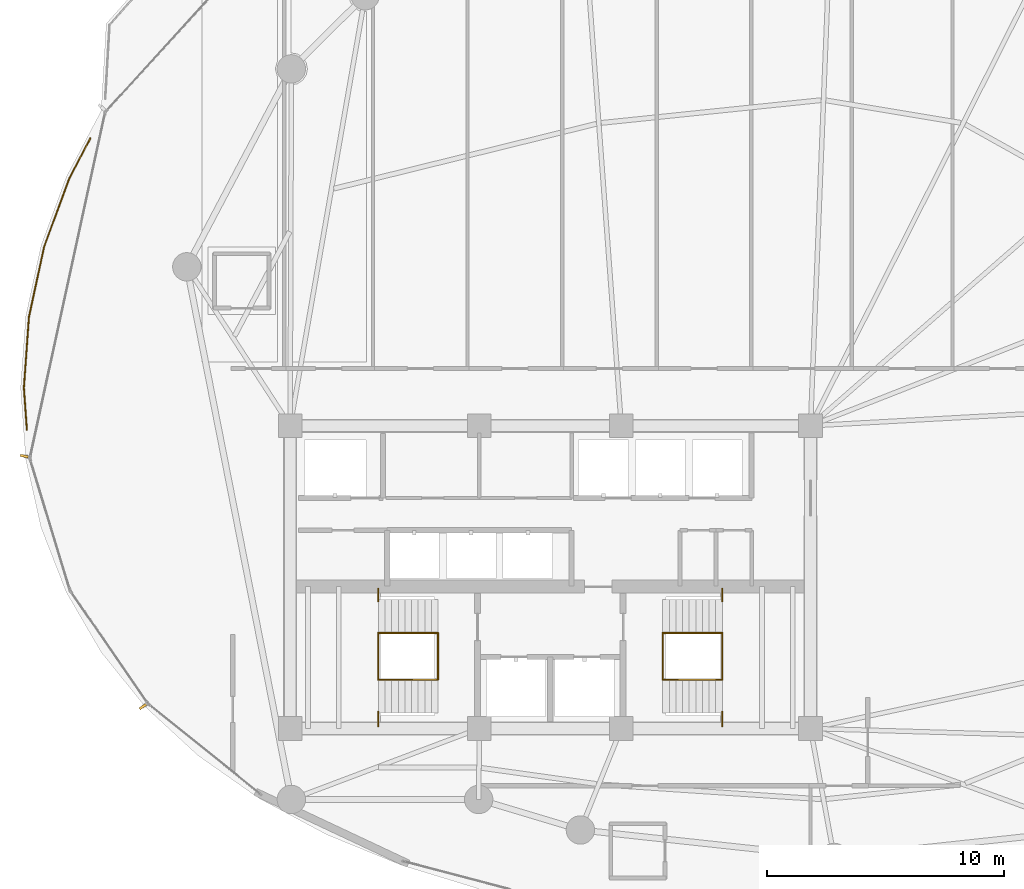
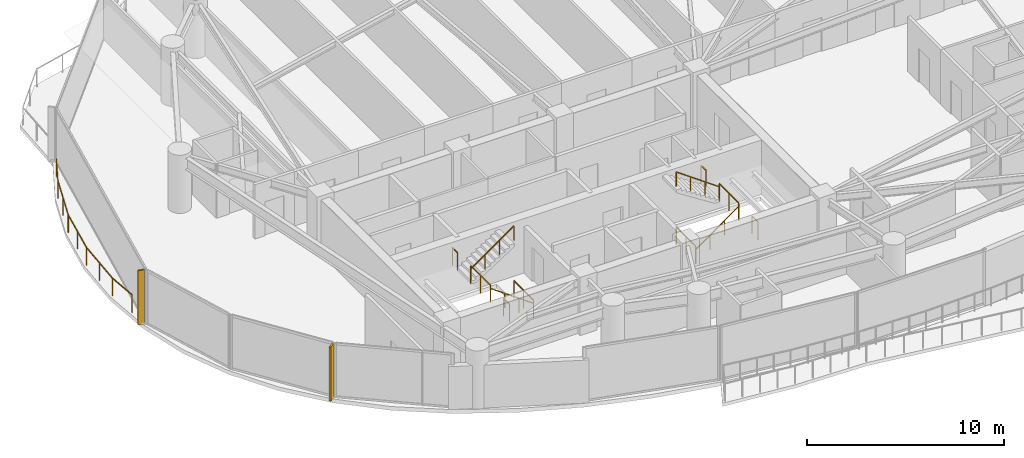
# One storey, part 31 of 34: 13 railings, 2 shading devices.
"""IFC4 building model written with IfcOpenShell, lengths in metres."""

from ifc_helpers import new_model, si_unit, direction, frame, origin, origin_2d, place, context, subcontext, project, spatial, rectangle, extrude, material, type_object, element, save


model = new_model("IFC4")

# Units and contexts
model_context = context("Model", 3, precision=1e-05, world=origin(), true_north=direction((0.0, 1.0)))
body_context = subcontext(model_context, "Body", "Model", "MODEL_VIEW")
ifc_project = project(units=[si_unit("LENGTHUNIT", "METRE"), si_unit("AREAUNIT", "SQUARE_METRE"), si_unit("VOLUMEUNIT", "CUBIC_METRE"), si_unit("PLANEANGLEUNIT", "RADIAN"), si_unit("MASSUNIT", "GRAM", prefix="KILO")], contexts=[model_context])

# Site, building, storey
site_placement = place(None, origin())
site = spatial("IfcSite", under=ifc_project, at=site_placement, CompositionType="ELEMENT")
building_placement = place(site_placement, origin())
building = spatial("IfcBuilding", under=site, at=building_placement, Name="Kazevale Care Tower and Concert Hall", CompositionType="ELEMENT")
storey_placement = place(building_placement, frame((0.0, 0.0, 163.800048828125)))
storey = spatial("IfcBuildingStorey", under=building, at=storey_placement, Name="L43", CompositionType="ELEMENT", Elevation=163.800048828125)

# Railings
ifc_material_1 = material(Name="Anodised Bronze Aluminium and Laminated Glass", Category="aluminium")
railing_type_1 = type_object("IfcRailingType", Name="Balcony and Terrace Balustrade 1120", PredefinedType="BALUSTRADE", material=ifc_material_1)
railing_1_placement = place(storey_placement, frame((10.867919921875, 36.22705078125, 0.0)))
element("IfcRailing", 1, at=railing_1_placement, inside=storey, type_object=railing_type_1, Name="rail:L43:perim:1", PredefinedType="BALUSTRADE", context=body_context, shape_type="SweptSolid", body=[
    extrude(rectangle(XDim=0.048095703125, YDim=0.048095703125, at=origin_2d()), frame((0.0, 0.0, 1.09619140625), z_axis=(-0.071969318028, 0.997406846409, 0.0), x_axis=(-0.997406846409, -0.071969318028, 0.0)), (0.0, 0.0, 1.0), 1.777587890625),
    extrude(rectangle(XDim=0.048095703125, YDim=0.048095703125, at=origin_2d()), frame((-0.1279296875, 1.77294921875, 1.09619140625), z_axis=(0.071442989214, 0.997444684828, 0.0), x_axis=(-0.997444684828, 0.071442989214, 0.0)), (0.0, 0.0, 1.0), 3.0107421875),
    extrude(rectangle(XDim=0.048095703125, YDim=0.048095703125, at=origin_2d()), frame((0.087158203125, 4.77587890625, 1.09619140625), z_axis=(0.211501042265, 0.97737777196, 0.0), x_axis=(-0.97737777196, 0.211501042265, 0.0)), (0.0, 0.0, 1.0), 3.03466796875),
    extrude(rectangle(XDim=0.048095703125, YDim=0.048095703125, at=origin_2d()), frame((0.72900390625, 7.741943359375, 1.09619140625), z_axis=(0.344808910619, 0.938672901046, 0.0), x_axis=(-0.938672901046, 0.344808910619, 0.0)), (0.0, 0.0, 1.0), 3.080078125),
    extrude(rectangle(XDim=0.048095703125, YDim=0.048095703125, at=origin_2d()), frame((1.791015625, 10.633056640625, 1.09619140625), z_axis=(0.466764151967, 0.884381832942, 0.0), x_axis=(-0.884381832942, 0.466764151967, 0.0)), (0.0, 0.0, 1.0), 1.91748046875),
    extrude(rectangle(XDim=0.0419921875, YDim=0.0419921875, at=origin_2d()), origin(), (0.0, 0.0, 1.0), 1.072021484375),
    extrude(rectangle(XDim=0.0419921875, YDim=0.0419921875, at=origin_2d()), frame((-0.1279296875, 1.77294921875, 0.0)), (0.0, 0.0, 1.0), 1.072021484375),
    extrude(rectangle(XDim=0.0419921875, YDim=0.0419921875, at=origin_2d()), frame((-0.0205078125, 3.2744140625, 0.0)), (0.0, 0.0, 1.0), 1.072021484375),
    extrude(rectangle(XDim=0.0419921875, YDim=0.0419921875, at=origin_2d()), frame((0.087158203125, 4.77587890625, 0.0)), (0.0, 0.0, 1.0), 1.072021484375),
    extrude(rectangle(XDim=0.0419921875, YDim=0.0419921875, at=origin_2d()), frame((0.408203125, 6.2587890625, 0.0)), (0.0, 0.0, 1.0), 1.072021484375),
    extrude(rectangle(XDim=0.0419921875, YDim=0.0419921875, at=origin_2d()), frame((0.72900390625, 7.741943359375, 0.0)), (0.0, 0.0, 1.0), 1.072021484375),
    extrude(rectangle(XDim=0.0419921875, YDim=0.0419921875, at=origin_2d()), frame((1.260009765625, 9.1875, 0.0)), (0.0, 0.0, 1.0), 1.072021484375),
    extrude(rectangle(XDim=0.0419921875, YDim=0.0419921875, at=origin_2d()), frame((1.791015625, 10.633056640625, 0.0)), (0.0, 0.0, 1.0), 1.072021484375),
    extrude(rectangle(XDim=0.0419921875, YDim=0.0419921875, at=origin_2d()), frame((2.68603515625, 12.328857421875, 0.0)), (0.0, 0.0, 1.0), 1.072021484375),
])
ifc_material_2 = material(Name="Stainless Steel 316", Category="steel")
railing_type_2 = type_object("IfcRailingType", Name="Stair Pitch Handrail 920", PredefinedType="HANDRAIL", material=ifc_material_2)
railing_2_placement = place(storey_placement, frame((28.25, 25.659912109375, 0.0)))
element("IfcRailing", 2, at=railing_2_placement, inside=storey, type_object=railing_type_2, Name="stair:L43:ST1:hr1", PredefinedType="HANDRAIL", context=body_context, shape_type="SweptSolid", body=[
    extrude(rectangle(XDim=0.048095703125, YDim=0.048095703125, at=origin_2d()), frame((0.0, 0.0, 0.89599609375), z_axis=(-0.813728144527, 0.0, 0.581245650998), x_axis=(0.0, -1.0, 0.0)), (0.0, 0.0, 1.0), 3.096923828125),
    extrude(rectangle(XDim=0.0419921875, YDim=0.0419921875, at=origin_2d()), origin(), (0.0, 0.0, 1.0), 0.871826171875),
    extrude(rectangle(XDim=0.0419921875, YDim=0.0419921875, at=origin_2d()), frame((-0.840087890625, 0.0, 0.60009765625)), (0.0, 0.0, 1.0), 0.871826171875),
    extrude(rectangle(XDim=0.0419921875, YDim=0.0419921875, at=origin_2d()), frame((-1.679931640625, 0.0, 1.199951171875)), (0.0, 0.0, 1.0), 0.871826171875),
    extrude(rectangle(XDim=0.0419921875, YDim=0.0419921875, at=origin_2d()), frame((-2.52001953125, 0.0, 1.800048828125)), (0.0, 0.0, 1.0), 0.871826171875),
])
railing_3_placement = place(storey_placement, frame((25.72998046875, 27.639892578125, 1.800048828125)))
element("IfcRailing", 3, at=railing_3_placement, inside=storey, type_object=railing_type_2, Name="stair:L43:ST1:hr2", PredefinedType="HANDRAIL", context=body_context, shape_type="SweptSolid", body=[
    extrude(rectangle(XDim=0.048095703125, YDim=0.048095703125, at=origin_2d()), frame((0.0, 0.0, 0.89599609375), z_axis=(0.813765431312, 0.0, 0.581193446971), x_axis=(0.0, 1.0, 0.0)), (0.0, 0.0, 1.0), 3.0966796875),
    extrude(rectangle(XDim=0.0419921875, YDim=0.0419921875, at=origin_2d()), origin(), (0.0, 0.0, 1.0), 0.871826171875),
    extrude(rectangle(XDim=0.0419921875, YDim=0.0419921875, at=origin_2d()), frame((0.840087890625, 0.0, 0.599853515625)), (0.0, 0.0, 1.0), 0.871826171875),
    extrude(rectangle(XDim=0.0419921875, YDim=0.0419921875, at=origin_2d()), frame((1.679931640625, 0.0, 1.199951171875)), (0.0, 0.0, 1.0), 0.871826171875),
    extrude(rectangle(XDim=0.0419921875, YDim=0.0419921875, at=origin_2d()), frame((2.52001953125, 0.0, 1.7998046875)), (0.0, 0.0, 1.0), 0.871826171875),
])
railing_4_placement = place(storey_placement, frame((37.75, 25.659912109375, 0.0)))
element("IfcRailing", 4, at=railing_4_placement, inside=storey, type_object=railing_type_2, Name="stair:L43:ST2:hr1", PredefinedType="HANDRAIL", context=body_context, shape_type="SweptSolid", body=[
    extrude(rectangle(XDim=0.048095703125, YDim=0.048095703125, at=origin_2d()), frame((0.0, 0.0, 0.89599609375), z_axis=(0.813728144527, 0.0, 0.581245650998), x_axis=(0.0, 1.0, 0.0)), (0.0, 0.0, 1.0), 3.096923828125),
    extrude(rectangle(XDim=0.0419921875, YDim=0.0419921875, at=origin_2d()), origin(), (0.0, 0.0, 1.0), 0.871826171875),
    extrude(rectangle(XDim=0.0419921875, YDim=0.0419921875, at=origin_2d()), frame((0.840087890625, 0.0, 0.60009765625)), (0.0, 0.0, 1.0), 0.871826171875),
    extrude(rectangle(XDim=0.0419921875, YDim=0.0419921875, at=origin_2d()), frame((1.679931640625, 0.0, 1.199951171875)), (0.0, 0.0, 1.0), 0.871826171875),
    extrude(rectangle(XDim=0.0419921875, YDim=0.0419921875, at=origin_2d()), frame((2.52001953125, 0.0, 1.800048828125)), (0.0, 0.0, 1.0), 0.871826171875),
])
railing_5_placement = place(storey_placement, frame((40.27001953125, 27.639892578125, 1.800048828125)))
element("IfcRailing", 5, at=railing_5_placement, inside=storey, type_object=railing_type_2, Name="stair:L43:ST2:hr2", PredefinedType="HANDRAIL", context=body_context, shape_type="SweptSolid", body=[
    extrude(rectangle(XDim=0.048095703125, YDim=0.048095703125, at=origin_2d()), frame((0.0, 0.0, 0.89599609375), z_axis=(-0.813765431312, 0.0, 0.581193446971), x_axis=(0.0, -1.0, 0.0)), (0.0, 0.0, 1.0), 3.0966796875),
    extrude(rectangle(XDim=0.0419921875, YDim=0.0419921875, at=origin_2d()), origin(), (0.0, 0.0, 1.0), 0.871826171875),
    extrude(rectangle(XDim=0.0419921875, YDim=0.0419921875, at=origin_2d()), frame((-0.840087890625, 0.0, 0.599853515625)), (0.0, 0.0, 1.0), 0.871826171875),
    extrude(rectangle(XDim=0.0419921875, YDim=0.0419921875, at=origin_2d()), frame((-1.679931640625, 0.0, 1.199951171875)), (0.0, 0.0, 1.0), 0.871826171875),
    extrude(rectangle(XDim=0.0419921875, YDim=0.0419921875, at=origin_2d()), frame((-2.52001953125, 0.0, 1.7998046875)), (0.0, 0.0, 1.0), 0.871826171875),
])
railing_type_3 = type_object("IfcRailingType", Name="Stair Well Guard Balustrade 1120", PredefinedType="BALUSTRADE", material=ifc_material_2)
railing_6_placement = place(storey_placement, frame((25.72998046875, 23.699951171875, 1.800048828125)))
element("IfcRailing", 6, at=railing_6_placement, inside=storey, type_object=railing_type_3, Name="stair:L43:ST1:grd_side1", PredefinedType="BALUSTRADE", context=body_context, shape_type="SweptSolid", body=[
    extrude(rectangle(XDim=0.048095703125, YDim=0.048095703125, at=origin_2d()), frame((0.0, 0.0, 1.09619140625), z_axis=(0.0, 1.0, 0.0), x_axis=(-1.0, 0.0, 0.0)), (0.0, 0.0, 1.0), 0.610107421875),
    extrude(rectangle(XDim=0.0419921875, YDim=0.0419921875, at=origin_2d()), origin(), (0.0, 0.0, 1.0), 1.072021484375),
    extrude(rectangle(XDim=0.0419921875, YDim=0.0419921875, at=origin_2d()), frame((0.0, 0.610107421875, 0.0)), (0.0, 0.0, 1.0), 1.072021484375),
])
railing_7_placement = place(storey_placement, frame((25.72998046875, 28.989990234375, 1.800048828125)))
element("IfcRailing", 7, at=railing_7_placement, inside=storey, type_object=railing_type_3, Name="stair:L43:ST1:grd_side2", PredefinedType="BALUSTRADE", context=body_context, shape_type="SweptSolid", body=[
    extrude(rectangle(XDim=0.048095703125, YDim=0.048095703125, at=origin_2d()), frame((0.0, 0.0, 1.09619140625), z_axis=(0.0, 1.0, 0.0), x_axis=(-1.0, 0.0, 0.0)), (0.0, 0.0, 1.0), 0.510009765625),
    extrude(rectangle(XDim=0.0419921875, YDim=0.0419921875, at=origin_2d()), origin(), (0.0, 0.0, 1.0), 1.072021484375),
    extrude(rectangle(XDim=0.0419921875, YDim=0.0419921875, at=origin_2d()), frame((0.0, 0.510009765625, 0.0)), (0.0, 0.0, 1.0), 1.072021484375),
])
for number, where, name in (
    (8, (25.72998046875, 25.659912109375, 1.800048828125), "stair:L43:ST1:grd_mid"),
    (9, (28.25, 25.659912109375, 0.0), "stair:L43:ST1:grd_flr"),
):
    element("IfcRailing", number, at=place(storey_placement, frame(where)), inside=storey, type_object=railing_type_3, Name=name, PredefinedType="BALUSTRADE", context=body_context, shape_type="SweptSolid", body=[
        extrude(rectangle(XDim=0.048095703125, YDim=0.048095703125, at=origin_2d()), frame((0.0, 0.0, 1.09619140625), z_axis=(0.0, 1.0, 0.0), x_axis=(-1.0, 0.0, 0.0)), (0.0, 0.0, 1.0), 1.97998046875),
        extrude(rectangle(XDim=0.0419921875, YDim=0.0419921875, at=origin_2d()), origin(), (0.0, 0.0, 1.0), 1.072021484375),
        extrude(rectangle(XDim=0.0419921875, YDim=0.0419921875, at=origin_2d()), frame((0.0, 0.989990234375, 0.0)), (0.0, 0.0, 1.0), 1.072021484375),
        extrude(rectangle(XDim=0.0419921875, YDim=0.0419921875, at=origin_2d()), frame((0.0, 1.97998046875, 0.0)), (0.0, 0.0, 1.0), 1.072021484375),
    ])
railing_8_placement = place(storey_placement, frame((40.27001953125, 23.699951171875, 1.800048828125)))
element("IfcRailing", 10, at=railing_8_placement, inside=storey, type_object=railing_type_3, Name="stair:L43:ST2:grd_side1", PredefinedType="BALUSTRADE", context=body_context, shape_type="SweptSolid", body=[
    extrude(rectangle(XDim=0.048095703125, YDim=0.048095703125, at=origin_2d()), frame((0.0, 0.0, 1.09619140625), z_axis=(0.0, 1.0, 0.0), x_axis=(-1.0, 0.0, 0.0)), (0.0, 0.0, 1.0), 0.610107421875),
    extrude(rectangle(XDim=0.0419921875, YDim=0.0419921875, at=origin_2d()), origin(), (0.0, 0.0, 1.0), 1.072021484375),
    extrude(rectangle(XDim=0.0419921875, YDim=0.0419921875, at=origin_2d()), frame((0.0, 0.610107421875, 0.0)), (0.0, 0.0, 1.0), 1.072021484375),
])
railing_9_placement = place(storey_placement, frame((40.27001953125, 28.989990234375, 1.800048828125)))
element("IfcRailing", 11, at=railing_9_placement, inside=storey, type_object=railing_type_3, Name="stair:L43:ST2:grd_side2", PredefinedType="BALUSTRADE", context=body_context, shape_type="SweptSolid", body=[
    extrude(rectangle(XDim=0.048095703125, YDim=0.048095703125, at=origin_2d()), frame((0.0, 0.0, 1.09619140625), z_axis=(0.0, 1.0, 0.0), x_axis=(-1.0, 0.0, 0.0)), (0.0, 0.0, 1.0), 0.510009765625),
    extrude(rectangle(XDim=0.0419921875, YDim=0.0419921875, at=origin_2d()), origin(), (0.0, 0.0, 1.0), 1.072021484375),
    extrude(rectangle(XDim=0.0419921875, YDim=0.0419921875, at=origin_2d()), frame((0.0, 0.510009765625, 0.0)), (0.0, 0.0, 1.0), 1.072021484375),
])
for number, where, name in (
    (12, (40.27001953125, 25.659912109375, 1.800048828125), "stair:L43:ST2:grd_mid"),
    (13, (37.75, 25.659912109375, 0.0), "stair:L43:ST2:grd_flr"),
):
    element("IfcRailing", number, at=place(storey_placement, frame(where)), inside=storey, type_object=railing_type_3, Name=name, PredefinedType="BALUSTRADE", context=body_context, shape_type="SweptSolid", body=[
        extrude(rectangle(XDim=0.048095703125, YDim=0.048095703125, at=origin_2d()), frame((0.0, 0.0, 1.09619140625), z_axis=(0.0, 1.0, 0.0), x_axis=(-1.0, 0.0, 0.0)), (0.0, 0.0, 1.0), 1.97998046875),
        extrude(rectangle(XDim=0.0419921875, YDim=0.0419921875, at=origin_2d()), origin(), (0.0, 0.0, 1.0), 1.072021484375),
        extrude(rectangle(XDim=0.0419921875, YDim=0.0419921875, at=origin_2d()), frame((0.0, 0.989990234375, 0.0)), (0.0, 0.0, 1.0), 1.072021484375),
        extrude(rectangle(XDim=0.0419921875, YDim=0.0419921875, at=origin_2d()), frame((0.0, 1.97998046875, 0.0)), (0.0, 0.0, 1.0), 1.072021484375),
    ])

# Shading devices
ifc_material_3 = material(Name="Anodised Bronze Aluminium", Category="aluminium")
shading_device_type = type_object("IfcShadingDeviceType", Name="Waist Anodised Bronze-Stone Fin FIN-02", PredefinedType="USERDEFINED", material=ifc_material_3)
for number, where, z_axis, x_axis, name in (
    (14, (15.7705078125, 24.525634765625, 0.0), (0.0, 0.0, 1.0), (-0.823334533242, -0.567556381667, 0.0), "cw:L43:f11:fin"),
    (15, (10.75341796875, 35.11767578125, 0.0), (0.0, 0.0, 1.0), (-0.97708274037, 0.212859856409, 0.0), "cw:L43:f13:fin"),
):
    element("IfcShadingDevice", number, at=place(storey_placement, frame(where, z_axis=z_axis, x_axis=x_axis)), inside=storey, type_object=shading_device_type, Name=name, ObjectType="FIN", PredefinedType="USERDEFINED", context=body_context, shape_type="SweptSolid", body=[
        extrude(rectangle(XDim=0.340087890625, YDim=0.10009765625, at=origin_2d()), origin(), (0.0, 0.0, 1.0), 3.360107421875),
    ])

save(model, "model.ifc")
